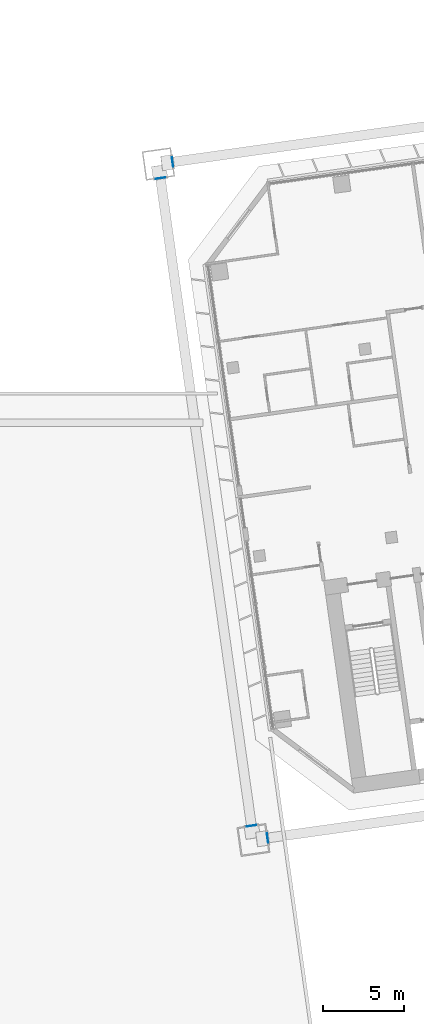
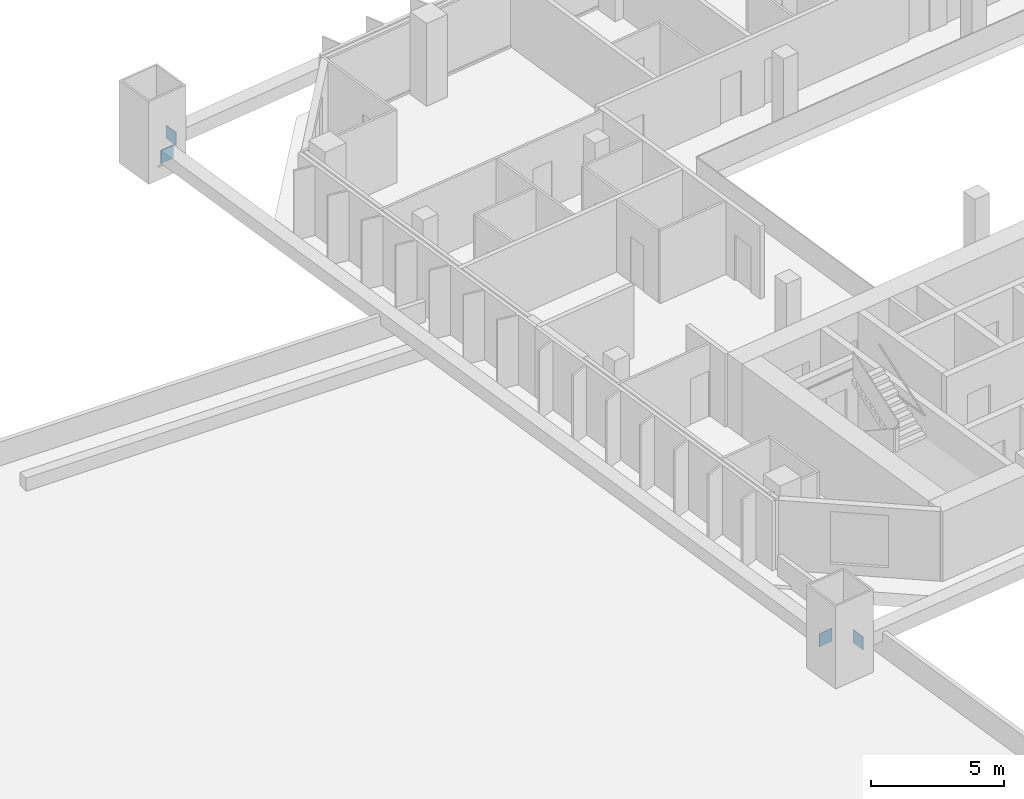
# One storey, part 43 of 46: 4 discrete accessories.
"""IFC4 building model written with IfcOpenShell, lengths in metres."""

import ifcopenshell
import ifcopenshell.guid

model = None  # the IFC model being written
_history = None  # IfcOwnerHistory: only IFC2X3 demands one
_inside = {}  # id of a spatial element -> (the spatial element, [elements in it])
_under = {}  # id of a project, library or spatial element -> (it, [spatial elements below it])
_declared = {}  # id of a project -> (the project, [libraries it declares])
_typed = {}  # id of a type object -> (the type object, [elements of that type])
_made_of = {}  # id of a material, layer set ... -> (it, [elements and type objects made of it])


def new_model(schema):
    """Start an empty IFC model of exactly this schema.

    Asked for "IFC4X3", IfcOpenShell would pick the latest addendum, in which some entities
    have other attributes; the version numbers below select the first issue.
    IFC2X3 requires an IfcOwnerHistory on every rooted entity: one is made here for all.
    """
    global model, _history
    if schema == "IFC4X3":
        model = ifcopenshell.file(schema_version=(4, 3, 0, 0))
    else:
        model = ifcopenshell.file(schema=schema)
    _inside.clear()
    _under.clear()
    _declared.clear()
    _typed.clear()
    _made_of.clear()
    _history = None
    if model.schema == "IFC2X3":
        org = make("IfcOrganization", Name="unknown")
        user = make(
            "IfcPersonAndOrganization",
            ThePerson=make("IfcPerson", FamilyName="unknown"),
            TheOrganization=org,
        )
        app = make(
            "IfcApplication",
            ApplicationDeveloper=org,
            Version="unknown",
            ApplicationFullName="unknown",
            ApplicationIdentifier="unknown",
        )
        _history = make(
            "IfcOwnerHistory",
            OwningUser=user,
            OwningApplication=app,
            ChangeAction="ADDED",
            CreationDate=0,
        )
    return model


def make(cls, **values):
    """One entity of the class cls with the attributes given. An attribute that is None is left unset."""
    return model.create_entity(
        cls, **{name: value for name, value in values.items() if value is not None}
    )


def rooted(cls, **values):
    """An entity with a GlobalId (a new one), such as an element, a storey or a relation."""
    return make(cls, GlobalId=ifcopenshell.guid.new(), OwnerHistory=_history, **values)


def si_unit(unit_type, name, prefix=None):
    """IfcSIUnit, for example si_unit("LENGTHUNIT", "METRE", prefix="MILLI")."""
    return make("IfcSIUnit", UnitType=unit_type, Prefix=prefix, Name=name)


def assignment(units):
    """IfcUnitAssignment: the units of a project."""
    return None if units is None else make("IfcUnitAssignment", Units=units)


def point(xyz):
    """IfcCartesianPoint."""
    return None if xyz is None else make("IfcCartesianPoint", Coordinates=xyz)


def direction(xyz):
    """IfcDirection."""
    return None if xyz is None else make("IfcDirection", DirectionRatios=xyz)


def frame(location, z_axis=None, x_axis=None):
    """IfcAxis2Placement3D, a coordinate frame: its origin and axes. An axis left out is left unset."""
    return make(
        "IfcAxis2Placement3D",
        Location=point(location),
        Axis=direction(z_axis),
        RefDirection=direction(x_axis),
    )


def frame_2d(location, x_axis=None):
    """IfcAxis2Placement2D, a coordinate frame in the plane: its origin and x axis."""
    return make(
        "IfcAxis2Placement2D", Location=point(location), RefDirection=direction(x_axis)
    )


def origin():
    """The frame at (0, 0, 0) with its axes left unset."""
    return frame((0.0, 0.0, 0.0))


def origin_2d():
    """The frame at (0, 0) in the plane with its x axis left unset."""
    return frame_2d((0.0, 0.0))


def place(relative_to, where):
    """IfcLocalPlacement: puts the frame where relative to a parent placement (None: the world)."""
    return make(
        "IfcLocalPlacement", PlacementRelTo=relative_to, RelativePlacement=where
    )


def context(
    kind, dimensions, precision=None, world=None, true_north=None, identifier=None
):
    """IfcGeometricRepresentationContext, for example the 3D "Model" context."""
    return make(
        "IfcGeometricRepresentationContext",
        ContextIdentifier=identifier,
        ContextType=kind,
        CoordinateSpaceDimension=dimensions,
        Precision=precision,
        WorldCoordinateSystem=world,
        TrueNorth=true_north,
    )


def subcontext(parent, identifier, kind, view, scale=None):
    """IfcGeometricRepresentationSubContext, for example "Body" below "Model"."""
    return make(
        "IfcGeometricRepresentationSubContext",
        ContextIdentifier=identifier,
        ContextType=kind,
        ParentContext=parent,
        TargetScale=scale,
        TargetView=view,
    )


def project(units=None, contexts=None):
    """IfcProject with its units and contexts."""
    return rooted(
        "IfcProject",
        Name="project",
        RepresentationContexts=contexts,
        UnitsInContext=assignment(units),
    )


def spatial(cls, under=None, at=None, **own):
    """A site, building, storey or space (cls), placed at a placement, below another one or the project."""
    s = rooted(cls, ObjectPlacement=at, **own)
    if under is not None:
        _under.setdefault(under.id(), (under, []))[1].append(s)
    return s


def profile(cls, at=None, kind="AREA", **sizes):
    """A parametric profile (cls). Its sizes go by their IFC names, for example OverallWidth=200.0."""
    return make(cls, ProfileType=kind, Position=at, **sizes)


def rectangle(**sizes):
    """IfcRectangleProfileDef."""
    return profile("IfcRectangleProfileDef", **sizes)


def extrude(swept, where, along, depth):
    """IfcExtrudedAreaSolid: the profile swept, set in the frame where, extruded along a direction by depth."""
    return make(
        "IfcExtrudedAreaSolid",
        SweptArea=swept,
        Position=where,
        ExtrudedDirection=direction(along),
        Depth=depth,
    )


def shape(context_of_items, identifier, shape_type, items):
    """IfcShapeRepresentation: the items that make up one representation, for example the "Body"."""
    return make(
        "IfcShapeRepresentation",
        ContextOfItems=context_of_items,
        RepresentationIdentifier=identifier,
        RepresentationType=shape_type,
        Items=items,
    )


def material(Name=None, Category=None):
    """IfcMaterial."""
    return make("IfcMaterial", Name=Name, Category=Category)


def material_profile(
    of_material, cross_section, Name=None, Category=None, Priority=None
):
    """IfcMaterialProfile: a cross section and its material."""
    return make(
        "IfcMaterialProfile",
        Name=Name,
        Material=of_material,
        Profile=cross_section,
        Priority=Priority,
        Category=Category,
    )


def profile_set(profiles, Name=None, composite=None):
    """IfcMaterialProfileSet."""
    return make(
        "IfcMaterialProfileSet",
        Name=Name,
        MaterialProfiles=profiles,
        CompositeProfile=composite,
    )


def made_of(thing, what):
    """Note that an element or type object is made of a material, layer set ...; save() writes the relation."""
    if what is not None:
        _made_of.setdefault(what.id(), (what, []))[1].append(thing)
    return thing


def type_object(cls, material=None, **own):
    """A type object (cls), such as IfcWallType, which elements share."""
    return made_of(rooted(cls, **own), material)


def element(
    cls,
    number,
    at=None,
    inside=None,
    cuts=None,
    type_object=None,
    material=None,
    context=None,
    identifier="Body",
    shape_type=None,
    held_by="IfcProductDefinitionShape",
    body=None,
    shapes=None,
    **own,
):
    """One element of the class cls, such as IfcWall. Its Tag is "e" and its number.

    at: its placement. inside: the storey or other place that contains it. cuts: it is an
    opening in that element (IfcRelVoidsElement). A single representation is given by context,
    identifier, shape_type and body (its items); several are given by shapes. held_by: the class
    of the entity that holds the representations. save() writes the other relations.
    """
    e = rooted(cls, Tag="e%d" % number, ObjectPlacement=at, **own)
    if body is not None:
        shapes = [shape(context, identifier, shape_type, body)]
    if shapes is not None:
        e.Representation = make(held_by, Representations=shapes)
    if inside is not None:
        _inside.setdefault(inside.id(), (inside, []))[1].append(e)
    if cuts is not None:
        rooted(
            "IfcRelVoidsElement", RelatingBuildingElement=cuts, RelatedOpeningElement=e
        )
    if type_object is not None:
        _typed.setdefault(type_object.id(), (type_object, []))[1].append(e)
    return made_of(e, material)


def aggregate(whole, parts):
    """IfcRelAggregates: a whole, such as a stair, and the parts it consists of."""
    return rooted("IfcRelAggregates", RelatingObject=whole, RelatedObjects=parts)


def save(model, path):
    """Write the relations noted so far, then the file.

    IfcRelAggregates (storeys below a building ...), IfcRelContainedInSpatialStructure (elements
    in a storey), IfcRelDefinesByType, IfcRelAssociatesMaterial and IfcRelDeclares: one each for
    every whole, place, type object, material and project.
    """
    for whole, parts in _under.values():
        aggregate(whole, parts)
    for where, things in _inside.values():
        rooted(
            "IfcRelContainedInSpatialStructure",
            RelatedElements=things,
            RelatingStructure=where,
        )
    for kind, things in _typed.values():
        rooted("IfcRelDefinesByType", RelatedObjects=things, RelatingType=kind)
    for what, things in _made_of.values():
        rooted("IfcRelAssociatesMaterial", RelatedObjects=things, RelatingMaterial=what)
    for by, libraries in _declared.values():
        rooted("IfcRelDeclares", RelatingContext=by, RelatedDefinitions=libraries)
    model.write(path)


model = new_model("IFC4")

# Units and contexts
model_context = context("Model", 3, precision=1e-05, world=origin(), true_north=direction((0.0, 1.0)))
body_context = subcontext(model_context, "Body", "Model", "MODEL_VIEW")
ifc_project = project(units=[si_unit("LENGTHUNIT", "METRE"), si_unit("AREAUNIT", "SQUARE_METRE"), si_unit("VOLUMEUNIT", "CUBIC_METRE"), si_unit("PLANEANGLEUNIT", "RADIAN"), si_unit("MASSUNIT", "GRAM", prefix="KILO")], contexts=[model_context])

# Site, building, storey
site_placement = place(None, origin())
site = spatial("IfcSite", under=ifc_project, at=site_placement, CompositionType="ELEMENT")
building_placement = place(site_placement, origin())
building = spatial("IfcBuilding", under=site, at=building_placement, Name="Mirante Cascada Hotel Towers", CompositionType="ELEMENT")
storey_placement = place(building_placement, frame((0.0, 0.0, 39.5)))
storey = spatial("IfcBuildingStorey", under=building, at=storey_placement, Name="L06", CompositionType="ELEMENT", Elevation=39.5)

# Discrete accessories
ifc_material = material(Name="Steel ASTM A572 Gr 50", Category="steel")
ifc_material_profile = material_profile(ifc_material, rectangle(XDim=0.6, YDim=0.6, at=origin_2d()), Name="Connection plate 600x600x25 ASTM A572 Gr 50")
ifc_profile_set = profile_set([ifc_material_profile], Name="Steel ASTM A572 Gr 50")
discrete_accessory_type = type_object("IfcDiscreteAccessoryType", Name="Connection plate 600x600x25 ASTM A572 Gr 50", PredefinedType="BRACKET", material=ifc_profile_set)
for number, where, z_axis, x_axis, name in (
    (1, (25.9559, 18.638, 1.0), (0.9901092, 0.1402989, 0.0), (-0.1402989, 0.9901092, 0.0), "Connection plate NCH"),
    (2, (31.8012, -22.9532, 1.0), (0.9906585, 0.136366, 0.0), (-0.136366, 0.9906585, 0.0), "Connection plate NCH"),
    (3, (30.8214, -22.2149, 1.0), (-0.1402989, 0.9901092, 0.0), (-0.9901092, -0.1402989, 0.0), "Connection plate NCH"),
    (4, (25.221, 17.6335, 1.0), (-0.136366, 0.9906585, 0.0), (-0.9906585, -0.136366, 0.0), "Connection plate NCH"),
):
    element("IfcDiscreteAccessory", number, at=place(storey_placement, frame(where, z_axis=z_axis, x_axis=x_axis)), inside=storey, type_object=discrete_accessory_type, Name=name, PredefinedType="BRACKET", context=body_context, shape_type="SweptSolid", body=[
        extrude(rectangle(XDim=0.6, YDim=0.6, at=origin_2d()), origin(), (0.0, 0.0, 1.0), 0.0249),
    ])

save(model, "model.ifc")
